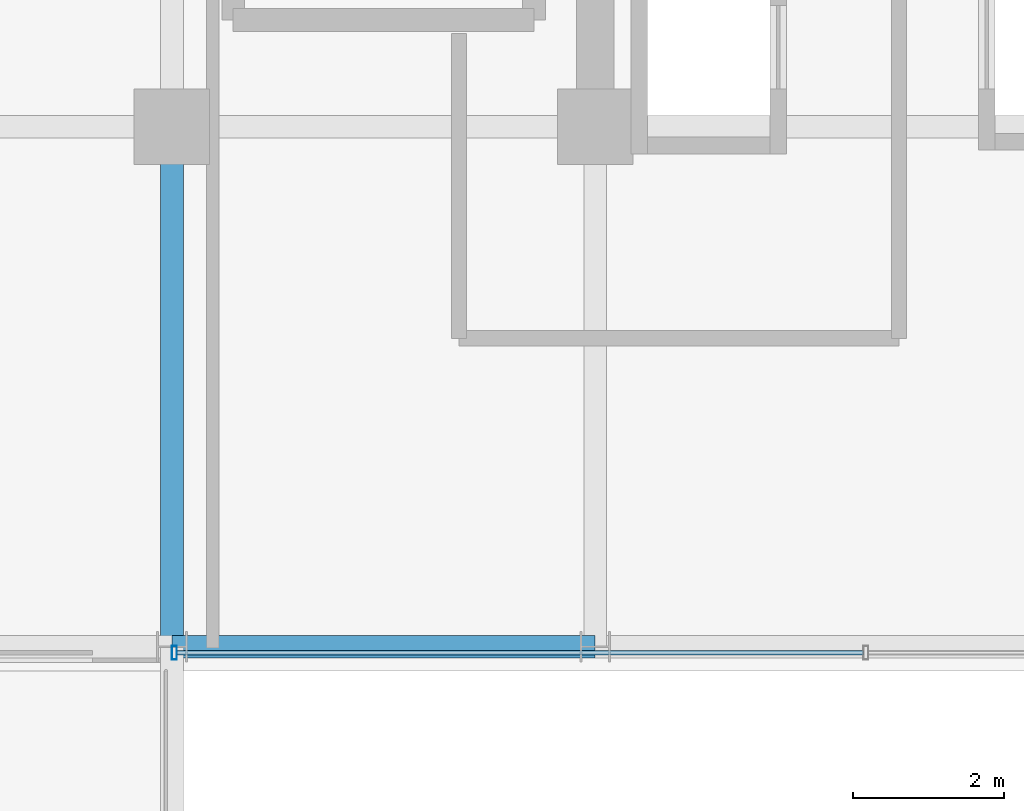
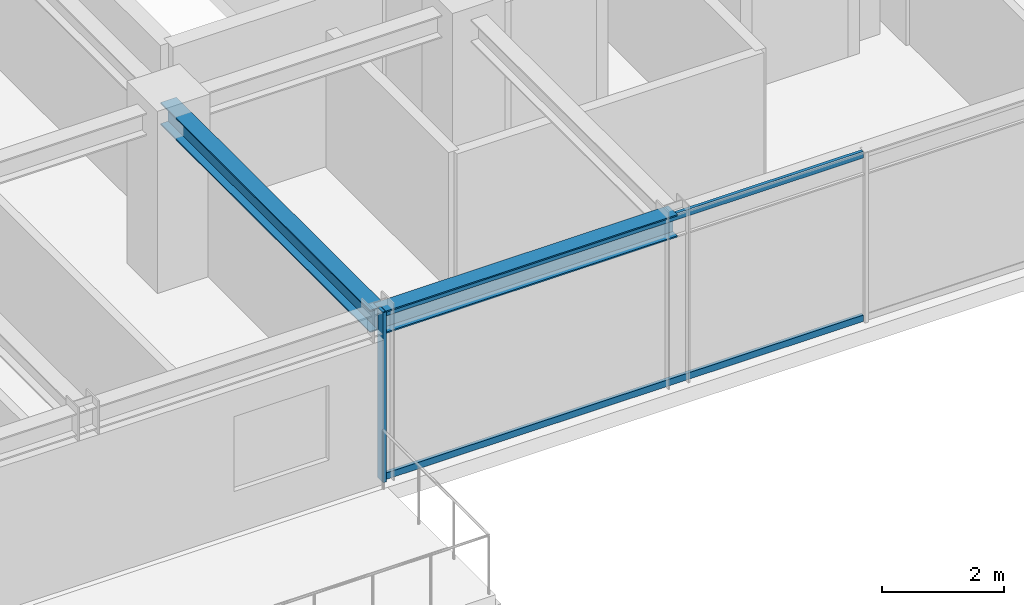
# One storey, part 6 of 36: 3 members, 2 beams, 1 element without a shape of its own.
"""IFC4 building model written with IfcOpenShell, lengths in metres."""

from ifc_helpers import new_model, si_unit, direction, frame, origin, origin_2d, place, context, subcontext, project, spatial, hollow_rectangle, i_section, extrude, source, transform, mapped, material, material_profile, profile_set, type_object, element, aggregate, save


model = new_model("IFC4")

# Units and contexts
model_context = context("Model", 3, precision=1e-05, world=origin(), true_north=direction((0.0, 1.0)))
body_context = subcontext(model_context, "Body", "Model", "MODEL_VIEW")
ifc_project = project(units=[si_unit("LENGTHUNIT", "METRE"), si_unit("AREAUNIT", "SQUARE_METRE"), si_unit("VOLUMEUNIT", "CUBIC_METRE"), si_unit("PLANEANGLEUNIT", "RADIAN"), si_unit("MASSUNIT", "GRAM", prefix="KILO")], contexts=[model_context])

# Site, building, storey
site_placement = place(None, origin())
site = spatial("IfcSite", under=ifc_project, at=site_placement, CompositionType="ELEMENT")
building_placement = place(site_placement, origin())
building = spatial("IfcBuilding", under=site, at=building_placement, Name="Nahalor Promenade Grand Hotel", CompositionType="ELEMENT")
storey_placement = place(building_placement, frame((0.0, 0.0, 253.0)))
storey = spatial("IfcBuildingStorey", under=building, at=storey_placement, Name="L65", CompositionType="ELEMENT", Elevation=253.0)

# Beams
ifc_material_1 = material(Name="Steel S355JR", Category="steel")
ifc_material_profile_1 = material_profile(ifc_material_1, i_section(OverallWidth=0.3, OverallDepth=0.45, WebThickness=0.014, FlangeThickness=0.026, at=origin_2d()), Name="HEB 450")
ifc_profile_set_1 = profile_set([ifc_material_profile_1], Name="Steel S355JR")
beam_type_1 = type_object("IfcBeamType", Name="Beam-Spandrel-HEB450", PredefinedType="SPANDREL", material=ifc_profile_set_1)
shared_shape_1 = source(origin(), body_context, "Body", "SweptSolid", [
    extrude(i_section(OverallWidth=0.3, OverallDepth=0.45, WebThickness=0.014, FlangeThickness=0.026, at=origin_2d()), origin(), (0.0, 0.0, 1.0), 5.599853515625),
])
beam_1_placement = place(storey_placement, frame((2.800048828125, -23.8798828125, 3.18505859375), z_axis=(1.0, 0.0, 0.0), x_axis=(0.0, 1.0, 0.0)))
element("IfcBeam", 1, at=beam_1_placement, inside=storey, type_object=beam_type_1, Name="BM-L65-SP-S-3", PredefinedType="SPANDREL", context=body_context, shape_type="MappedRepresentation", body=[
    mapped(shared_shape_1, transform((0.0, 0.0, 0.0), scale=1.0)),
])
ifc_material_profile_2 = material_profile(ifc_material_1, i_section(OverallWidth=0.3, OverallDepth=0.45, WebThickness=0.014, FlangeThickness=0.026, at=origin_2d()), Name="HEB 450")
ifc_profile_set_2 = profile_set([ifc_material_profile_2], Name="Steel S355JR")
beam_type_2 = type_object("IfcBeamType", Name="Beam-Girder-HEB450", PredefinedType="BEAM", material=ifc_profile_set_2)
shared_shape_2 = source(origin(), body_context, "Body", "SweptSolid", [
    extrude(i_section(OverallWidth=0.3, OverallDepth=0.45, WebThickness=0.014, FlangeThickness=0.026, at=origin_2d()), origin(), (0.0, 0.0, 1.0), 6.8798828125),
])
beam_2_placement = place(storey_placement, frame((2.800048828125, -23.8798828125, 3.18505859375), z_axis=(0.0, 1.0, 0.0), x_axis=(-1.0, 0.0, 0.0)))
element("IfcBeam", 2, at=beam_2_placement, inside=storey, type_object=beam_type_2, Name="BM-L65-GY-3-0", PredefinedType="BEAM", context=body_context, shape_type="MappedRepresentation", body=[
    mapped(shared_shape_2, transform((0.0, 0.0, 0.0), scale=1.0)),
])

# Curtain wall, members
ifc_material_2 = material(Name="Anodised Bronze Aluminium EN AW-6063 T6", Category="aluminium")
curtain_wall_type = type_object("IfcCurtainWallType", Name="CW2 Typical Hotel Flush Bronze Unitised Curtain Wall", PredefinedType="USERDEFINED", material=ifc_material_2)
curtain_wall_placement = place(storey_placement, origin())
curtain_wall = element("IfcCurtainWall", 3, at=curtain_wall_placement, inside=storey, type_object=curtain_wall_type, Name="L65 Curtain Wall CW-L65-S-3", ObjectType="UNITISED_CURTAIN_WALL", PredefinedType="USERDEFINED")
ifc_material_profile_3 = material_profile(ifc_material_2, hollow_rectangle(XDim=0.065, YDim=0.13, WallThickness=0.004, at=origin_2d()), Name="CWT 65x130x4")
ifc_profile_set_3 = profile_set([ifc_material_profile_3], Name="Anodised Bronze Aluminium EN AW-6063 T6")
member_type_1 = type_object("IfcMemberType", Name="CWT2 Typical Bronze Transom 65x130", PredefinedType="USERDEFINED", material=ifc_profile_set_3)
shared_shape_3 = source(origin(), body_context, "Body", "SweptSolid", [
    extrude(hollow_rectangle(XDim=0.065, YDim=0.13, WallThickness=0.004, at=origin_2d()), origin(), (0.0, 0.0, 1.0), 9.08251953125),
])
member_1_placement = place(storey_placement, frame((2.864990234375, -23.9599609375, 0.06494140625), z_axis=(1.0, 0.0, 0.0), x_axis=(0.0, 1.0, 0.0)))
member_1 = element("IfcMember", 4, at=member_1_placement, type_object=member_type_1, Name="CW-L65-S-3 Transom 0-0", ObjectType="TRANSOM", PredefinedType="USERDEFINED", context=body_context, shape_type="MappedRepresentation", body=[
    mapped(shared_shape_3, transform((0.0, 0.0, 0.0), scale=1.0)),
])
member_2_placement = place(storey_placement, frame((2.864990234375, -23.9599609375, 3.344970703125), z_axis=(1.0, 0.0, 0.0), x_axis=(0.0, 1.0, 0.0)))
member_2 = element("IfcMember", 5, at=member_2_placement, type_object=member_type_1, Name="CW-L65-S-3 Transom 0-1", ObjectType="TRANSOM", PredefinedType="USERDEFINED", context=body_context, shape_type="MappedRepresentation", body=[
    mapped(shared_shape_3, transform((0.0, 0.0, 0.0), scale=1.0)),
])
ifc_material_profile_4 = material_profile(ifc_material_2, hollow_rectangle(XDim=0.065, YDim=0.18, WallThickness=0.004, at=origin_2d()), Name="CWM 65x180x4")
ifc_profile_set_4 = profile_set([ifc_material_profile_4], Name="Anodised Bronze Aluminium EN AW-6063 T6")
member_type_2 = type_object("IfcMemberType", Name="CWM2 Typical Bronze Mullion 65x180", PredefinedType="MULLION", material=ifc_profile_set_4)
shared_shape_4 = source(origin(), body_context, "Body", "SweptSolid", [
    extrude(hollow_rectangle(XDim=0.065, YDim=0.18, WallThickness=0.004, at=origin_2d()), origin(), (0.0, 0.0, 1.0), 3.409912109375),
])
member_3_placement = place(storey_placement, frame((2.83251953125, -23.9599609375, 0.0), z_axis=(0.0, 0.0, 1.0), x_axis=(1.0, 0.0, 0.0)))
member_3 = element("IfcMember", 6, at=member_3_placement, type_object=member_type_2, Name="CW-L65-S-3 Mullion 0", PredefinedType="MULLION", context=body_context, shape_type="MappedRepresentation", body=[
    mapped(shared_shape_4, transform((0.0, 0.0, 0.0), scale=1.0)),
])
aggregate(curtain_wall, [member_3, member_1, member_2])

save(model, "model.ifc")
